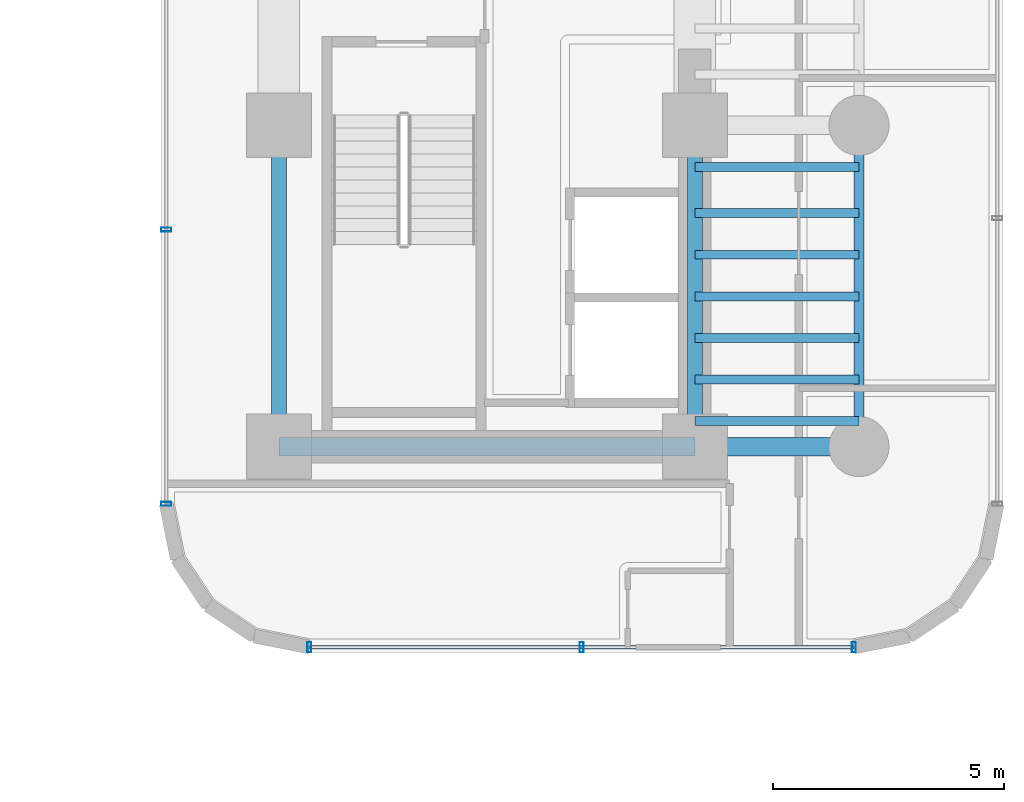
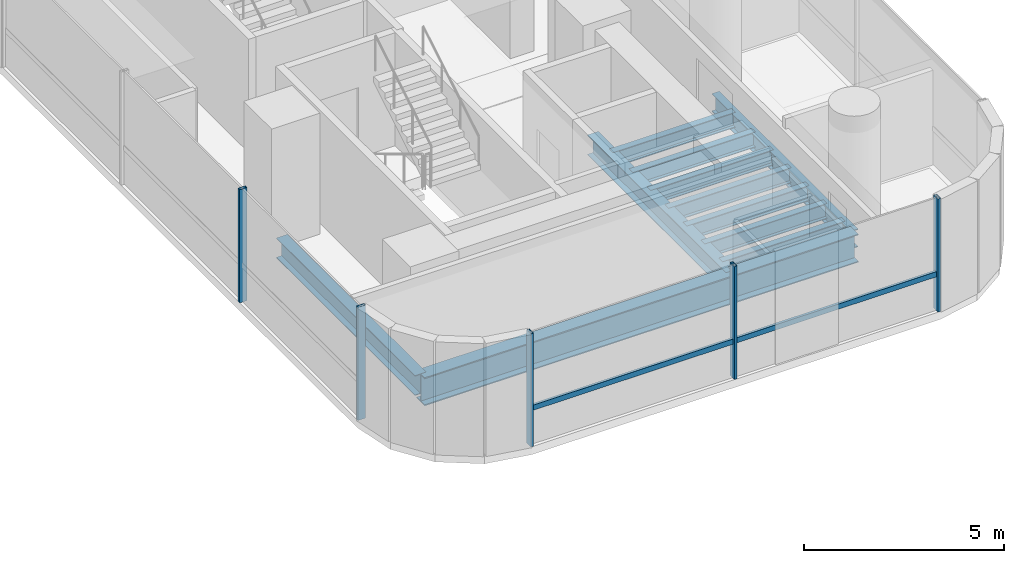
# One storey, part 12 of 40: 12 beams, 6 members, 2 elements without a shape of their own.
"""IFC4 building model written with IfcOpenShell, lengths in metres."""

import ifcopenshell
import ifcopenshell.guid

model = None  # the IFC model being written
_history = None  # IfcOwnerHistory: only IFC2X3 demands one
_inside = {}  # id of a spatial element -> (the spatial element, [elements in it])
_under = {}  # id of a project, library or spatial element -> (it, [spatial elements below it])
_declared = {}  # id of a project -> (the project, [libraries it declares])
_typed = {}  # id of a type object -> (the type object, [elements of that type])
_made_of = {}  # id of a material, layer set ... -> (it, [elements and type objects made of it])


def new_model(schema):
    """Start an empty IFC model of exactly this schema.

    Asked for "IFC4X3", IfcOpenShell would pick the latest addendum, in which some entities
    have other attributes; the version numbers below select the first issue.
    IFC2X3 requires an IfcOwnerHistory on every rooted entity: one is made here for all.
    """
    global model, _history
    if schema == "IFC4X3":
        model = ifcopenshell.file(schema_version=(4, 3, 0, 0))
    else:
        model = ifcopenshell.file(schema=schema)
    _inside.clear()
    _under.clear()
    _declared.clear()
    _typed.clear()
    _made_of.clear()
    _history = None
    if model.schema == "IFC2X3":
        org = make("IfcOrganization", Name="unknown")
        user = make(
            "IfcPersonAndOrganization",
            ThePerson=make("IfcPerson", FamilyName="unknown"),
            TheOrganization=org,
        )
        app = make(
            "IfcApplication",
            ApplicationDeveloper=org,
            Version="unknown",
            ApplicationFullName="unknown",
            ApplicationIdentifier="unknown",
        )
        _history = make(
            "IfcOwnerHistory",
            OwningUser=user,
            OwningApplication=app,
            ChangeAction="ADDED",
            CreationDate=0,
        )
    return model


def make(cls, **values):
    """One entity of the class cls with the attributes given. An attribute that is None is left unset."""
    return model.create_entity(
        cls, **{name: value for name, value in values.items() if value is not None}
    )


def rooted(cls, **values):
    """An entity with a GlobalId (a new one), such as an element, a storey or a relation."""
    return make(cls, GlobalId=ifcopenshell.guid.new(), OwnerHistory=_history, **values)


def si_unit(unit_type, name, prefix=None):
    """IfcSIUnit, for example si_unit("LENGTHUNIT", "METRE", prefix="MILLI")."""
    return make("IfcSIUnit", UnitType=unit_type, Prefix=prefix, Name=name)


def assignment(units):
    """IfcUnitAssignment: the units of a project."""
    return None if units is None else make("IfcUnitAssignment", Units=units)


def point(xyz):
    """IfcCartesianPoint."""
    return None if xyz is None else make("IfcCartesianPoint", Coordinates=xyz)


def direction(xyz):
    """IfcDirection."""
    return None if xyz is None else make("IfcDirection", DirectionRatios=xyz)


def frame(location, z_axis=None, x_axis=None):
    """IfcAxis2Placement3D, a coordinate frame: its origin and axes. An axis left out is left unset."""
    return make(
        "IfcAxis2Placement3D",
        Location=point(location),
        Axis=direction(z_axis),
        RefDirection=direction(x_axis),
    )


def frame_2d(location, x_axis=None):
    """IfcAxis2Placement2D, a coordinate frame in the plane: its origin and x axis."""
    return make(
        "IfcAxis2Placement2D", Location=point(location), RefDirection=direction(x_axis)
    )


def origin():
    """The frame at (0, 0, 0) with its axes left unset."""
    return frame((0.0, 0.0, 0.0))


def origin_2d():
    """The frame at (0, 0) in the plane with its x axis left unset."""
    return frame_2d((0.0, 0.0))


def place(relative_to, where):
    """IfcLocalPlacement: puts the frame where relative to a parent placement (None: the world)."""
    return make(
        "IfcLocalPlacement", PlacementRelTo=relative_to, RelativePlacement=where
    )


def context(
    kind, dimensions, precision=None, world=None, true_north=None, identifier=None
):
    """IfcGeometricRepresentationContext, for example the 3D "Model" context."""
    return make(
        "IfcGeometricRepresentationContext",
        ContextIdentifier=identifier,
        ContextType=kind,
        CoordinateSpaceDimension=dimensions,
        Precision=precision,
        WorldCoordinateSystem=world,
        TrueNorth=true_north,
    )


def subcontext(parent, identifier, kind, view, scale=None):
    """IfcGeometricRepresentationSubContext, for example "Body" below "Model"."""
    return make(
        "IfcGeometricRepresentationSubContext",
        ContextIdentifier=identifier,
        ContextType=kind,
        ParentContext=parent,
        TargetScale=scale,
        TargetView=view,
    )


def project(units=None, contexts=None):
    """IfcProject with its units and contexts."""
    return rooted(
        "IfcProject",
        Name="project",
        RepresentationContexts=contexts,
        UnitsInContext=assignment(units),
    )


def spatial(cls, under=None, at=None, **own):
    """A site, building, storey or space (cls), placed at a placement, below another one or the project."""
    s = rooted(cls, ObjectPlacement=at, **own)
    if under is not None:
        _under.setdefault(under.id(), (under, []))[1].append(s)
    return s


def profile(cls, at=None, kind="AREA", **sizes):
    """A parametric profile (cls). Its sizes go by their IFC names, for example OverallWidth=200.0."""
    return make(cls, ProfileType=kind, Position=at, **sizes)


def hollow_rectangle(**sizes):
    """IfcRectangleHollowProfileDef."""
    return profile("IfcRectangleHollowProfileDef", **sizes)


def i_section(**sizes):
    """IfcIShapeProfileDef."""
    return profile("IfcIShapeProfileDef", **sizes)


def extrude(swept, where, along, depth):
    """IfcExtrudedAreaSolid: the profile swept, set in the frame where, extruded along a direction by depth."""
    return make(
        "IfcExtrudedAreaSolid",
        SweptArea=swept,
        Position=where,
        ExtrudedDirection=direction(along),
        Depth=depth,
    )


def shape(context_of_items, identifier, shape_type, items):
    """IfcShapeRepresentation: the items that make up one representation, for example the "Body"."""
    return make(
        "IfcShapeRepresentation",
        ContextOfItems=context_of_items,
        RepresentationIdentifier=identifier,
        RepresentationType=shape_type,
        Items=items,
    )


def source(mapping_origin, context_of_items, identifier, shape_type, items):
    """IfcRepresentationMap: a shape defined once, which mapped items show again and again."""
    return make(
        "IfcRepresentationMap",
        MappingOrigin=mapping_origin,
        MappedRepresentation=shape(context_of_items, identifier, shape_type, items),
    )


def transform(
    local_origin,
    x_axis=None,
    y_axis=None,
    z_axis=None,
    scale=None,
    scale2=None,
    scale3=None,
    uniform=True,
):
    """IfcCartesianTransformationOperator3D, or its non-uniform kind. x_axis, y_axis, z_axis: its Axis1, 2, 3."""
    if uniform:
        return make(
            "IfcCartesianTransformationOperator3D",
            Axis1=direction(x_axis),
            Axis2=direction(y_axis),
            LocalOrigin=point(local_origin),
            Scale=scale,
            Axis3=direction(z_axis),
        )
    return make(
        "IfcCartesianTransformationOperator3DnonUniform",
        Axis1=direction(x_axis),
        Axis2=direction(y_axis),
        LocalOrigin=point(local_origin),
        Scale=scale,
        Axis3=direction(z_axis),
        Scale2=scale2,
        Scale3=scale3,
    )


def mapped(mapping_source, mapping_target):
    """IfcMappedItem: shows the shape of a source again, moved by a transform."""
    return make(
        "IfcMappedItem", MappingSource=mapping_source, MappingTarget=mapping_target
    )


def material(Name=None, Category=None):
    """IfcMaterial."""
    return make("IfcMaterial", Name=Name, Category=Category)


def material_profile(
    of_material, cross_section, Name=None, Category=None, Priority=None
):
    """IfcMaterialProfile: a cross section and its material."""
    return make(
        "IfcMaterialProfile",
        Name=Name,
        Material=of_material,
        Profile=cross_section,
        Priority=Priority,
        Category=Category,
    )


def profile_set(profiles, Name=None, composite=None):
    """IfcMaterialProfileSet."""
    return make(
        "IfcMaterialProfileSet",
        Name=Name,
        MaterialProfiles=profiles,
        CompositeProfile=composite,
    )


def made_of(thing, what):
    """Note that an element or type object is made of a material, layer set ...; save() writes the relation."""
    if what is not None:
        _made_of.setdefault(what.id(), (what, []))[1].append(thing)
    return thing


def type_object(cls, material=None, **own):
    """A type object (cls), such as IfcWallType, which elements share."""
    return made_of(rooted(cls, **own), material)


def element(
    cls,
    number,
    at=None,
    inside=None,
    cuts=None,
    type_object=None,
    material=None,
    context=None,
    identifier="Body",
    shape_type=None,
    held_by="IfcProductDefinitionShape",
    body=None,
    shapes=None,
    **own,
):
    """One element of the class cls, such as IfcWall. Its Tag is "e" and its number.

    at: its placement. inside: the storey or other place that contains it. cuts: it is an
    opening in that element (IfcRelVoidsElement). A single representation is given by context,
    identifier, shape_type and body (its items); several are given by shapes. held_by: the class
    of the entity that holds the representations. save() writes the other relations.
    """
    e = rooted(cls, Tag="e%d" % number, ObjectPlacement=at, **own)
    if body is not None:
        shapes = [shape(context, identifier, shape_type, body)]
    if shapes is not None:
        e.Representation = make(held_by, Representations=shapes)
    if inside is not None:
        _inside.setdefault(inside.id(), (inside, []))[1].append(e)
    if cuts is not None:
        rooted(
            "IfcRelVoidsElement", RelatingBuildingElement=cuts, RelatedOpeningElement=e
        )
    if type_object is not None:
        _typed.setdefault(type_object.id(), (type_object, []))[1].append(e)
    return made_of(e, material)


def aggregate(whole, parts):
    """IfcRelAggregates: a whole, such as a stair, and the parts it consists of."""
    return rooted("IfcRelAggregates", RelatingObject=whole, RelatedObjects=parts)


def save(model, path):
    """Write the relations noted so far, then the file.

    IfcRelAggregates (storeys below a building ...), IfcRelContainedInSpatialStructure (elements
    in a storey), IfcRelDefinesByType, IfcRelAssociatesMaterial and IfcRelDeclares: one each for
    every whole, place, type object, material and project.
    """
    for whole, parts in _under.values():
        aggregate(whole, parts)
    for where, things in _inside.values():
        rooted(
            "IfcRelContainedInSpatialStructure",
            RelatedElements=things,
            RelatingStructure=where,
        )
    for kind, things in _typed.values():
        rooted("IfcRelDefinesByType", RelatedObjects=things, RelatingType=kind)
    for what, things in _made_of.values():
        rooted("IfcRelAssociatesMaterial", RelatedObjects=things, RelatingMaterial=what)
    for by, libraries in _declared.values():
        rooted("IfcRelDeclares", RelatingContext=by, RelatedDefinitions=libraries)
    model.write(path)


model = new_model("IFC4")

# Units and contexts
model_context = context("Model", 3, precision=1e-05, world=origin(), true_north=direction((0.0, 1.0)))
body_context = subcontext(model_context, "Body", "Model", "MODEL_VIEW")
ifc_project = project(units=[si_unit("LENGTHUNIT", "METRE"), si_unit("AREAUNIT", "SQUARE_METRE"), si_unit("VOLUMEUNIT", "CUBIC_METRE"), si_unit("PLANEANGLEUNIT", "RADIAN"), si_unit("MASSUNIT", "GRAM", prefix="KILO")], contexts=[model_context])

# Site, building, storey
site_placement = place(None, origin())
site = spatial("IfcSite", under=ifc_project, at=site_placement, CompositionType="ELEMENT")
building_placement = place(site_placement, origin())
building = spatial("IfcBuilding", under=site, at=building_placement, Name="Valdorenza Pilgrim Sanctuary Tower", CompositionType="ELEMENT")
storey_placement = place(building_placement, frame((0.0, 0.0, 44.5)))
storey = spatial("IfcBuildingStorey", under=building, at=storey_placement, Name="L10", CompositionType="ELEMENT", Elevation=44.5)

# Beams
ifc_material_1 = material(Name="Steel ASTM A992 Grade 50", Category="steel")
ifc_material_profile_1 = material_profile(ifc_material_1, i_section(OverallWidth=0.323974609375, OverallDepth=0.611083984375, WebThickness=0.0126953125, FlangeThickness=0.01904296875, at=origin_2d()), Name="W24X104")
ifc_profile_set_1 = profile_set([ifc_material_profile_1], Name="Steel ASTM A992 Grade 50")
beam_type_1 = type_object("IfcBeamType", Name="STR-BM-GRD-W24B", PredefinedType="BEAM", material=ifc_profile_set_1)
shared_shape_1 = source(origin(), body_context, "Body", "SweptSolid", [
    extrude(i_section(OverallWidth=0.323974609375, OverallDepth=0.611083984375, WebThickness=0.0126953125, FlangeThickness=0.01904296875, at=origin_2d()), origin(), (0.0, 0.0, 1.0), 6.949951171875),
])
for number, where, z_axis, x_axis, name in (
    (1, (15.85009765625, -9.550048828125, -0.54541015625), (0.0, 1.0, 0.0), (-1.0, 0.0, 0.0), "L10 Core Tie Girder CB-W-S1M0"),
    (2, (24.85009765625, -9.550048828125, -0.54541015625), (0.0, 1.0, 0.0), (-1.0, 0.0, 0.0), "L10 Core Tie Girder CB-E-S1M0"),
):
    element("IfcBeam", number, at=place(storey_placement, frame(where, z_axis=z_axis, x_axis=x_axis)), inside=storey, type_object=beam_type_1, Name=name, PredefinedType="BEAM", context=body_context, shape_type="MappedRepresentation", body=[
        mapped(shared_shape_1, transform((0.0, 0.0, 0.0), x_axis=(1.0, 0.0, 0.0), y_axis=(0.0, 1.0, 0.0), z_axis=(0.0, 0.0, 1.0), scale=1.0)),
    ])
ifc_material_profile_2 = material_profile(ifc_material_1, i_section(OverallWidth=0.214111328125, OverallDepth=0.549072265625, WebThickness=0.0146484375, FlangeThickness=0.023681640625, at=origin_2d()), Name="W21X93")
ifc_profile_set_2 = profile_set([ifc_material_profile_2], Name="Steel ASTM A992 Grade 50")
beam_type_2 = type_object("IfcBeamType", Name="STR-BM-SPN-W21A", PredefinedType="SPANDREL", material=ifc_profile_set_2)
shared_shape_2 = source(origin(), body_context, "Body", "SweptSolid", [
    extrude(i_section(OverallWidth=0.214111328125, OverallDepth=0.549072265625, WebThickness=0.0146484375, FlangeThickness=0.023681640625, at=origin_2d()), origin(), (0.0, 0.0, 1.0), 6.949951171875),
])
beam_1_placement = place(storey_placement, frame((28.39990234375, -9.550048828125, -0.514404296875), z_axis=(0.0, 1.0, 0.0), x_axis=(-1.0, 0.0, 0.0)))
element("IfcBeam", 3, at=beam_1_placement, inside=storey, type_object=beam_type_2, Name="L10 Spandrel Beam WB-E-S1M0", PredefinedType="SPANDREL", context=body_context, shape_type="MappedRepresentation", body=[
    mapped(shared_shape_2, transform((0.0, 0.0, 0.0), x_axis=(1.0, 0.0, 0.0), y_axis=(0.0, 1.0, 0.0), z_axis=(0.0, 0.0, 1.0), scale=1.0)),
])
ifc_material_profile_3 = material_profile(ifc_material_1, i_section(OverallWidth=0.193115234375, OverallDepth=0.466064453125, WebThickness=0.011474609375, FlangeThickness=0.01904296875, at=origin_2d()), Name="W18X65")
ifc_profile_set_3 = profile_set([ifc_material_profile_3], Name="Steel ASTM A992 Grade 50")
beam_type_3 = type_object("IfcBeamType", Name="STR-BM-JST-W18A", PredefinedType="JOIST", material=ifc_profile_set_3)
shared_shape_3 = source(origin(), body_context, "Body", "SweptSolid", [
    extrude(i_section(OverallWidth=0.193115234375, OverallDepth=0.466064453125, WebThickness=0.011474609375, FlangeThickness=0.01904296875, at=origin_2d()), origin(), (0.0, 0.0, 1.0), 3.5498046875),
])
for number, where, z_axis, x_axis, name in (
    (4, (24.85009765625, -9.0, -0.472900390625), (1.0, 0.0, 0.0), (0.0, 1.0, 0.0), "L10 Composite Floor Joist JST-WB-1"),
    (5, (24.85009765625, -8.10009765625, -0.472900390625), (1.0, 0.0, 0.0), (0.0, 1.0, 0.0), "L10 Composite Floor Joist JST-WB-2"),
    (6, (24.85009765625, -7.199951171875, -0.472900390625), (1.0, 0.0, 0.0), (0.0, 1.0, 0.0), "L10 Composite Floor Joist JST-WB-3"),
    (7, (24.85009765625, -6.300048828125, -0.472900390625), (1.0, 0.0, 0.0), (0.0, 1.0, 0.0), "L10 Composite Floor Joist JST-WB-4"),
    (8, (24.85009765625, -5.39990234375, -0.472900390625), (1.0, 0.0, 0.0), (0.0, 1.0, 0.0), "L10 Composite Floor Joist JST-WB-5"),
    (9, (24.85009765625, -4.5, -0.472900390625), (1.0, 0.0, 0.0), (0.0, 1.0, 0.0), "L10 Composite Floor Joist JST-WB-6"),
    (10, (24.85009765625, -3.5, -0.472900390625), (1.0, 0.0, 0.0), (0.0, 1.0, 0.0), "L10 Composite Floor Joist JST-WB-7"),
):
    element("IfcBeam", number, at=place(storey_placement, frame(where, z_axis=z_axis, x_axis=x_axis)), inside=storey, type_object=beam_type_3, Name=name, PredefinedType="JOIST", context=body_context, shape_type="MappedRepresentation", body=[
        mapped(shared_shape_3, transform((0.0, 0.0, 0.0), x_axis=(1.0, 0.0, 0.0), y_axis=(0.0, 1.0, 0.0), z_axis=(0.0, 0.0, 1.0), scale=1.0)),
    ])
ifc_material_profile_4 = material_profile(ifc_material_1, i_section(OverallWidth=0.39990234375, OverallDepth=0.862060546875, WebThickness=0.019775390625, FlangeThickness=0.032470703125, at=origin_2d()), Name="W33X221")
ifc_profile_set_4 = profile_set([ifc_material_profile_4], Name="Steel ASTM A992 Grade 50")
beam_type_4 = type_object("IfcBeamType", Name="STR-BM-GRD-W33", PredefinedType="BEAM", material=ifc_profile_set_4)
shared_shape_4 = source(origin(), body_context, "Body", "SweptSolid", [
    extrude(i_section(OverallWidth=0.39990234375, OverallDepth=0.862060546875, WebThickness=0.019775390625, FlangeThickness=0.032470703125, at=origin_2d()), origin(), (0.0, 0.0, 1.0), 9.0),
])
beam_2_placement = place(storey_placement, frame((15.85009765625, -9.550048828125, -0.6708984375), z_axis=(1.0, 0.0, 0.0), x_axis=(0.0, 1.0, 0.0)))
element("IfcBeam", 11, at=beam_2_placement, inside=storey, type_object=beam_type_4, Name="L10 Floor Girder CB-XC-S1", PredefinedType="BEAM", context=body_context, shape_type="MappedRepresentation", body=[
    mapped(shared_shape_4, transform((0.0, 0.0, 0.0), x_axis=(1.0, 0.0, 0.0), y_axis=(0.0, 1.0, 0.0), z_axis=(0.0, 0.0, 1.0), scale=1.0)),
])
shared_shape_5 = source(origin(), body_context, "Body", "SweptSolid", [
    extrude(i_section(OverallWidth=0.39990234375, OverallDepth=0.862060546875, WebThickness=0.019775390625, FlangeThickness=0.032470703125, at=origin_2d()), origin(), (0.0, 0.0, 1.0), 3.5498046875),
])
beam_3_placement = place(storey_placement, frame((24.85009765625, -9.550048828125, -0.6708984375), z_axis=(1.0, 0.0, 0.0), x_axis=(0.0, 1.0, 0.0)))
element("IfcBeam", 12, at=beam_3_placement, inside=storey, type_object=beam_type_4, Name="L10 Floor Girder WB-XE-S1", PredefinedType="BEAM", context=body_context, shape_type="MappedRepresentation", body=[
    mapped(shared_shape_5, transform((0.0, 0.0, 0.0), x_axis=(1.0, 0.0, 0.0), y_axis=(0.0, 1.0, 0.0), z_axis=(0.0, 0.0, 1.0), scale=1.0)),
])

# Curtain wall, members
ifc_material_2 = material(Name="Curtain-wall IGU glazing", Category="glass")
curtain_wall_type = type_object("IfcCurtainWallType", Name="CW-SYS-03", PredefinedType="NOTDEFINED", material=ifc_material_2)
curtain_wall_1_placement = place(storey_placement, origin())
curtain_wall_1 = element("IfcCurtainWall", 13, at=curtain_wall_1_placement, inside=storey, type_object=curtain_wall_type, Name="L10 Curtain Wall CW-L10-1-26", PredefinedType="NOTDEFINED")
ifc_material_3 = material(Name="Anodised aluminium AW-6060", Category="aluminium")
ifc_material_profile_5 = material_profile(ifc_material_3, hollow_rectangle(XDim=0.0849609375, YDim=0.219970703125, WallThickness=0.0048828125, at=origin_2d()), Name="ALU-M 220x85x5")
ifc_profile_set_5 = profile_set([ifc_material_profile_5], Name="Anodised aluminium AW-6060")
member_type_1 = type_object("IfcMemberType", Name="CW-MUL-03", PredefinedType="MULLION", material=ifc_profile_set_5)
shared_shape_6 = source(origin(), body_context, "Body", "SweptSolid", [
    extrude(hollow_rectangle(XDim=0.0849609375, YDim=0.219970703125, WallThickness=0.0048828125, at=origin_2d()), origin(), (0.0, 0.0, 1.0), 3.4599609375),
])
member_1_placement = place(storey_placement, frame((28.289306640625, -13.889892578125, 0.0), z_axis=(0.0, 0.0, 1.0), x_axis=(-1.0, 0.0, 0.0)))
member_1 = element("IfcMember", 14, at=member_1_placement, type_object=member_type_1, Name="CW-L10-1-26 Mullion 1", PredefinedType="MULLION", context=body_context, shape_type="MappedRepresentation", body=[
    mapped(shared_shape_6, transform((0.0, 0.0, 0.0), x_axis=(1.0, 0.0, 0.0), y_axis=(0.0, 1.0, 0.0), z_axis=(0.0, 0.0, 1.0), scale=1.0)),
])
member_2_placement = place(storey_placement, frame((22.39990234375, -13.889892578125, 0.0), z_axis=(0.0, 0.0, 1.0), x_axis=(-1.0, 0.0, 0.0)))
member_2 = element("IfcMember", 15, at=member_2_placement, type_object=member_type_1, Name="CW-L10-1-26 Mullion 2", PredefinedType="MULLION", context=body_context, shape_type="MappedRepresentation", body=[
    mapped(shared_shape_6, transform((0.0, 0.0, 0.0), x_axis=(1.0, 0.0, 0.0), y_axis=(0.0, 1.0, 0.0), z_axis=(0.0, 0.0, 1.0), scale=1.0)),
])
member_3_placement = place(storey_placement, frame((16.5107421875, -13.889892578125, 0.0), z_axis=(0.0, 0.0, 1.0), x_axis=(-1.0, 0.0, 0.0)))
member_3 = element("IfcMember", 16, at=member_3_placement, type_object=member_type_1, Name="CW-L10-1-26 Mullion 3", PredefinedType="MULLION", context=body_context, shape_type="MappedRepresentation", body=[
    mapped(shared_shape_6, transform((0.0, 0.0, 0.0), x_axis=(1.0, 0.0, 0.0), y_axis=(0.0, 1.0, 0.0), z_axis=(0.0, 0.0, 1.0), scale=1.0)),
])

curtain_wall_2_placement = place(storey_placement, origin())
curtain_wall_2 = element("IfcCurtainWall", 17, at=curtain_wall_2_placement, inside=storey, type_object=curtain_wall_type, Name="L10 Curtain Wall CW-L10-1-31", PredefinedType="NOTDEFINED")
member_4_placement = place(storey_placement, frame((13.409912109375, -10.789306640625, 0.0), z_axis=(0.0, 0.0, 1.0), x_axis=(0.0, 1.0, 0.0)))
member_4 = element("IfcMember", 18, at=member_4_placement, type_object=member_type_1, Name="CW-L10-1-31 Mullion 1", PredefinedType="MULLION", context=body_context, shape_type="MappedRepresentation", body=[
    mapped(shared_shape_6, transform((0.0, 0.0, 0.0), x_axis=(1.0, 0.0, 0.0), y_axis=(0.0, 1.0, 0.0), z_axis=(0.0, 0.0, 1.0), scale=1.0)),
])
member_5_placement = place(storey_placement, frame((13.409912109375, -4.85595703125, 0.0), z_axis=(0.0, 0.0, 1.0), x_axis=(0.0, 1.0, 0.0)))
member_5 = element("IfcMember", 19, at=member_5_placement, type_object=member_type_1, Name="CW-L10-1-31 Mullion 2", PredefinedType="MULLION", context=body_context, shape_type="MappedRepresentation", body=[
    mapped(shared_shape_6, transform((0.0, 0.0, 0.0), x_axis=(1.0, 0.0, 0.0), y_axis=(0.0, 1.0, 0.0), z_axis=(0.0, 0.0, 1.0), scale=1.0)),
])
aggregate(curtain_wall_2, [member_4, member_5])

# Member
ifc_material_profile_6 = material_profile(ifc_material_3, hollow_rectangle(XDim=0.074951171875, YDim=0.159912109375, WallThickness=0.00390625, at=origin_2d()), Name="ALU-T 160x75x4")
ifc_profile_set_6 = profile_set([ifc_material_profile_6], Name="Anodised aluminium AW-6060")
member_type_2 = type_object("IfcMemberType", Name="CW-TRN-03", PredefinedType="USERDEFINED", material=ifc_profile_set_6)
shared_shape_7 = source(origin(), body_context, "Body", "SweptSolid", [
    extrude(hollow_rectangle(XDim=0.074951171875, YDim=0.159912109375, WallThickness=0.00390625, at=origin_2d()), origin(), (0.0, 0.0, 1.0), 11.778564453125),
])
member_6_placement = place(storey_placement, frame((28.289306640625, -13.889892578125, 1.1201171875), z_axis=(-1.0, 0.0, 0.0), x_axis=(0.0, -1.0, 0.0)))
member_6 = element("IfcMember", 20, at=member_6_placement, type_object=member_type_2, Name="CW-L10-1-26 Transom 1", ObjectType="TRANSOM", PredefinedType="USERDEFINED", context=body_context, shape_type="MappedRepresentation", body=[
    mapped(shared_shape_7, transform((0.0, 0.0, 0.0), x_axis=(1.0, 0.0, 0.0), y_axis=(0.0, 1.0, 0.0), z_axis=(0.0, 0.0, 1.0), scale=1.0)),
])

aggregate(curtain_wall_1, [member_1, member_2, member_3, member_6])

save(model, "model.ifc")
